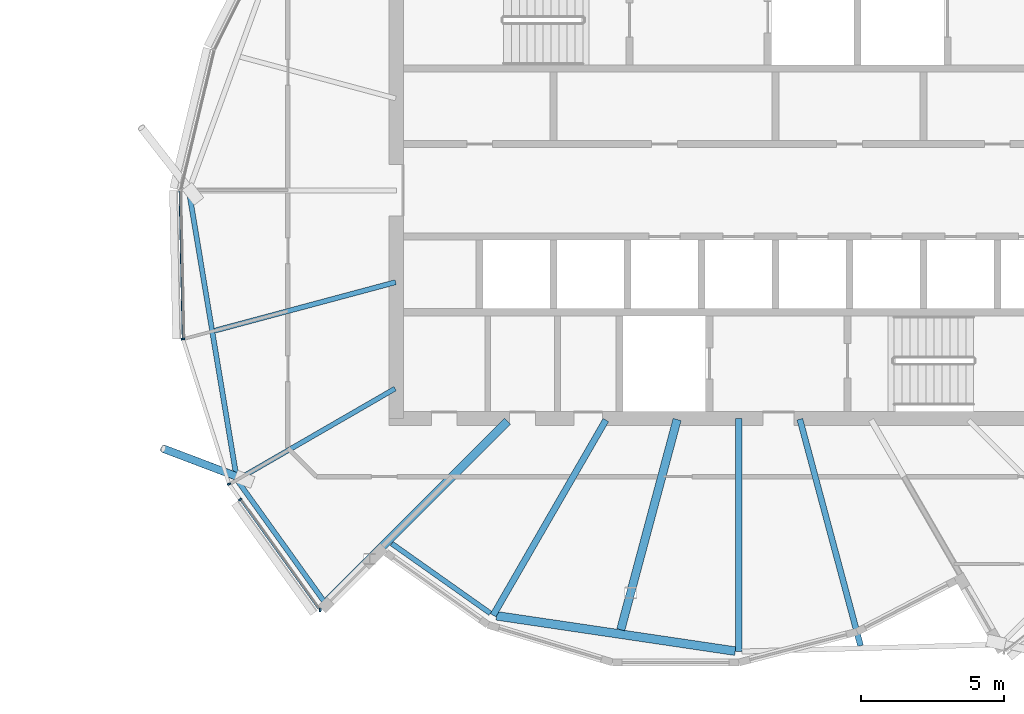
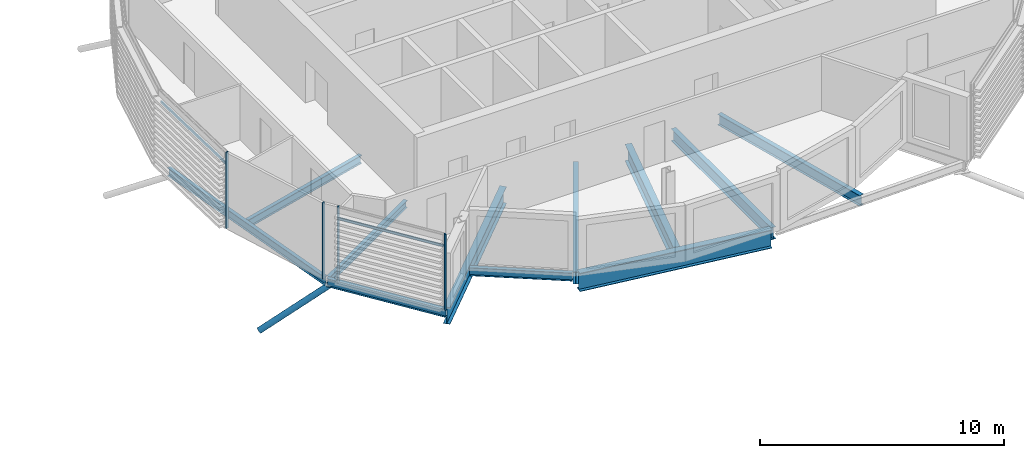
# One storey, part 10 of 35: 11 beams, 7 members, 1 element without a shape of its own.
"""IFC4 building model written with IfcOpenShell, lengths in metres."""

from ifc_helpers import new_model, si_unit, direction, frame, origin, origin_2d, place, context, subcontext, project, spatial, rectangle, hollow_circle, i_section, extrude, clip, halfspace, material, material_profile, profile_set, type_object, element, aggregate, save


model = new_model("IFC4")

# Units and contexts
model_context = context("Model", 3, precision=1e-05, world=origin(), true_north=direction((0.0, 1.0)))
body_context = subcontext(model_context, "Body", "Model", "MODEL_VIEW")
ifc_project = project(units=[si_unit("LENGTHUNIT", "METRE"), si_unit("AREAUNIT", "SQUARE_METRE"), si_unit("VOLUMEUNIT", "CUBIC_METRE"), si_unit("PLANEANGLEUNIT", "RADIAN"), si_unit("MASSUNIT", "GRAM", prefix="KILO")], contexts=[model_context])

# Site, building, storey
site_placement = place(None, origin())
site = spatial("IfcSite", under=ifc_project, at=site_placement, CompositionType="ELEMENT")
building_placement = place(site_placement, origin())
building = spatial("IfcBuilding", under=site, at=building_placement, Name="Rimbun Link Towers", CompositionType="ELEMENT")
storey_placement = place(building_placement, frame((0.0, 0.0, 229.5)))
storey = spatial("IfcBuildingStorey", under=building, at=storey_placement, Name="L56", CompositionType="ELEMENT", Elevation=229.5)

# Curtain wall, members
ifc_material_1 = material(Name="Aluminium 6063-T6 and low-iron glass", Category="aluminium")
curtain_wall_type = type_object("IfcCurtainWallType", Name="CW1-Z4 unitised vision wall (zone 4)", PredefinedType="NOTDEFINED", material=ifc_material_1)
curtain_wall_placement = place(storey_placement, origin())
curtain_wall = element("IfcCurtainWall", 1, at=curtain_wall_placement, inside=storey, type_object=curtain_wall_type, Name="CW1 L56 T2", PredefinedType="NOTDEFINED")
ifc_material_2 = material(Name="Aluminium 6063-T6", Category="aluminium")
ifc_material_profile_1 = material_profile(ifc_material_2, rectangle(XDim=0.1201171875, YDim=0.06005859375, at=origin_2d()), Name="MULLION 60X120")
ifc_profile_set_1 = profile_set([ifc_material_profile_1], Name="Aluminium 6063-T6")
member_type_1 = type_object("IfcMemberType", Name="CW1 mullion 60X120", PredefinedType="MULLION", material=ifc_profile_set_1)
member_1_placement = place(storey_placement, frame((12.26318359375, -5.21533203125, 0.0), z_axis=(0.0, 0.0, 1.0), x_axis=(-0.986503254432, -0.163741653209, 0.0)))
member_1 = element("IfcMember", 2, at=member_1_placement, type_object=member_type_1, Name="CW1 mullion", PredefinedType="MULLION", context=body_context, shape_type="SweptSolid", body=[
    extrude(rectangle(XDim=0.1201171875, YDim=0.06005859375, at=origin_2d()), origin(), (0.0, 0.0, 1.0), 3.800048828125),
])
member_2_placement = place(storey_placement, frame((13.880126953125, -10.30224609375, 0.0), z_axis=(0.0, 0.0, 1.0), x_axis=(-0.952973824415, -0.303052619159, 0.0)))
member_2 = element("IfcMember", 3, at=member_2_placement, type_object=member_type_1, Name="CW1 mullion", PredefinedType="MULLION", context=body_context, shape_type="SweptSolid", body=[
    extrude(rectangle(XDim=0.1201171875, YDim=0.06005859375, at=origin_2d()), origin(), (0.0, 0.0, 1.0), 3.800048828125),
])
member_3_placement = place(storey_placement, frame((17.077880859375, -14.72705078125, 0.0), z_axis=(0.0, 0.0, 1.0), x_axis=(-0.081394965181, -0.996681925011, 0.0)))
member_3 = element("IfcMember", 4, at=member_3_placement, type_object=member_type_1, Name="CW1 mullion", PredefinedType="MULLION", context=body_context, shape_type="SweptSolid", body=[
    extrude(rectangle(XDim=0.1201171875, YDim=0.06005859375, at=origin_2d()), origin(), (0.0, 0.0, 1.0), 3.800048828125),
])
member_4_placement = place(storey_placement, frame((14.267578125, -10.84716796875, 0.0), z_axis=(0.0, 0.0, 1.0), x_axis=(-0.812465338349, -0.583009497334, 0.0)))
member_4 = element("IfcMember", 5, at=member_4_placement, type_object=member_type_1, Name="CW1 mullion", PredefinedType="MULLION", context=body_context, shape_type="SweptSolid", body=[
    extrude(rectangle(XDim=0.1201171875, YDim=0.06005859375, at=origin_2d()), origin(), (0.0, 0.0, 1.0), 3.800048828125),
])
ifc_material_3 = material(Name="Aluminium 6063-T6", Category="aluminium")
ifc_material_profile_2 = material_profile(ifc_material_3, rectangle(XDim=0.06005859375, YDim=0.1201171875, at=origin_2d()), Name="TRANSOM 60X120")
ifc_profile_set_2 = profile_set([ifc_material_profile_2], Name="Aluminium 6063-T6")
member_type_2 = type_object("IfcMemberType", Name="CW1 transom 60X120", PredefinedType="USERDEFINED", material=ifc_profile_set_2)
member_5_placement = place(storey_placement, frame((12.263671875, -5.1767578125, 3.199951171875), z_axis=(-0.021061942905, 0.999778172677, 0.0), x_axis=(-0.999778172677, -0.021061942905, 0.0)))
member_5 = element("IfcMember", 6, at=member_5_placement, type_object=member_type_2, Name="CW1 transom", ObjectType="TRANSOM", PredefinedType="USERDEFINED", context=body_context, shape_type="SweptSolid", body=[
    extrude(rectangle(XDim=0.06005859375, YDim=0.1201171875, at=origin_2d()), origin(), (0.0, 0.0, 1.0), 5.146728515625),
])
member_6_placement = place(storey_placement, frame((17.01806640625, -14.6767578125, 3.199951171875), z_axis=(-0.583016319385, 0.812460442933, 0.0), x_axis=(-0.812460442933, -0.583016319385, 0.0)))
member_6 = element("IfcMember", 7, at=member_6_placement, type_object=member_type_2, Name="CW1 transom", ObjectType="TRANSOM", PredefinedType="USERDEFINED", context=body_context, shape_type="SweptSolid", body=[
    extrude(rectangle(XDim=0.06005859375, YDim=0.1201171875, at=origin_2d()), origin(), (0.0, 0.0, 1.0), 4.68505859375),
])
aggregate(curtain_wall, [member_1, member_2, member_3, member_4, member_5, member_6])

# Member
ifc_material_4 = material(Name="Steel S355J2H", Category="steel")
ifc_material_profile_3 = material_profile(ifc_material_4, hollow_circle(Radius=0.136474609375, WallThickness=0.012451171875, at=origin_2d()), Name="CHS 273x12.5")
ifc_profile_set_3 = profile_set([ifc_material_profile_3], Name="Steel S355J2H")
member_type_3 = type_object("IfcMemberType", Name="Floor edge link CHS 273x12.5", PredefinedType="BRACE", material=ifc_profile_set_3)
member_7_placement = place(storey_placement, frame((14.280517578125, -10.0859375, -0.608642578125), z_axis=(-0.777610276778, 0.294584308611, -0.555465878853), x_axis=(-0.354263830902, -0.93514551708, 0.0)))
element("IfcMember", 8, at=member_7_placement, inside=storey, type_object=member_type_3, Name="Floor edge link T2 L56 11", PredefinedType="BRACE", context=body_context, shape_type="Clipping", body=[
    clip(extrude(hollow_circle(Radius=0.136474609375, WallThickness=0.012451171875, at=origin_2d()), frame((0.0, 0.0, -0.4267578125)), (0.0, 0.0, 1.0), 3.918212890625), halfspace(frame((0.0, 0.0, -0.200927734375), z_axis=(0.0, 0.831539330056, -0.555465878853)), False)),
])

# Beams
ifc_material_5 = material(Name="Steel S355J2", Category="steel")
ifc_material_profile_4 = material_profile(ifc_material_5, i_section(OverallWidth=0.17138671875, OverallDepth=0.35498046875, WebThickness=0.00732421875, FlangeThickness=0.011474609375, at=origin_2d()), Name="UB 356x171x51")
ifc_profile_set_4 = profile_set([ifc_material_profile_4], Name="Steel S355J2")
beam_type_1 = type_object("IfcBeamType", Name="UB 356x171x51", PredefinedType="BEAM", material=ifc_profile_set_4)
beam_1_placement = place(storey_placement, frame((19.706298828125, -6.95361328125, -0.3173828125), z_axis=(-0.866029143232, -0.499993523031, 0.0), x_axis=(0.499993523031, -0.866029143232, 0.0)))
element("IfcBeam", 9, at=beam_1_placement, inside=storey, type_object=beam_type_1, Name="Radial beam T2 L56 11", PredefinedType="BEAM", context=body_context, shape_type="SweptSolid", body=[
    extrude(i_section(OverallWidth=0.17138671875, OverallDepth=0.35498046875, WebThickness=0.00732421875, FlangeThickness=0.011474609375, at=origin_2d()), origin(), (0.0, 0.0, 1.0), 6.31494140625),
])
ifc_material_6 = material(Name="Steel S355J2", Category="steel")
ifc_material_profile_5 = material_profile(ifc_material_6, i_section(OverallWidth=0.177978515625, OverallDepth=0.406494140625, WebThickness=0.0078125, FlangeThickness=0.0126953125, at=origin_2d()), Name="UB 406x178x60")
ifc_profile_set_5 = profile_set([ifc_material_profile_5], Name="Steel S355J2")
beam_type_2 = type_object("IfcBeamType", Name="UB 406x178x60", PredefinedType="BEAM", material=ifc_profile_set_5)
beam_2_placement = place(storey_placement, frame((19.72607421875, -3.2216796875, -0.34326171875), z_axis=(-0.965919688064, -0.258841952185, 0.0), x_axis=(0.258841952185, -0.965919688064, 0.0)))
element("IfcBeam", 10, at=beam_2_placement, inside=storey, type_object=beam_type_2, Name="Radial beam T2 L56 10", PredefinedType="BEAM", context=body_context, shape_type="SweptSolid", body=[
    extrude(i_section(OverallWidth=0.177978515625, OverallDepth=0.406494140625, WebThickness=0.0078125, FlangeThickness=0.0126953125, at=origin_2d()), origin(), (0.0, 0.0, 1.0), 6.5703125),
])
beam_3_placement = place(storey_placement, frame((12.484619140625, -0.08984375, -0.34326171875), z_axis=(0.16408184561, -0.986446728385, 0.0), x_axis=(0.986446728385, 0.16408184561, 0.0)))
element("IfcBeam", 11, at=beam_3_placement, inside=storey, type_object=beam_type_2, Name="Edge beam T2 L56 09-11", PredefinedType="BEAM", context=body_context, shape_type="SweptSolid", body=[
    extrude(i_section(OverallWidth=0.177978515625, OverallDepth=0.406494140625, WebThickness=0.0078125, FlangeThickness=0.0126953125, at=origin_2d()), origin(), (0.0, 0.0, 1.0), 10.11181640625),
])
beam_4_placement = place(storey_placement, frame((14.15966796875, -10.156982421875, -0.34326171875), z_axis=(0.582291298388, -0.812980223512, 0.0), x_axis=(0.812980223512, 0.582291298388, 0.0)))
element("IfcBeam", 12, at=beam_4_placement, inside=storey, type_object=beam_type_2, Name="Edge beam T2 L56 11", PredefinedType="BEAM", context=body_context, shape_type="SweptSolid", body=[
    extrude(i_section(OverallWidth=0.177978515625, OverallDepth=0.406494140625, WebThickness=0.0078125, FlangeThickness=0.0126953125, at=origin_2d()), origin(), (0.0, 0.0, 1.0), 5.326416015625),
])
beam_5_placement = place(storey_placement, frame((19.58837890625, -12.39111328125, -0.34326171875), z_axis=(0.81649590554, -0.577351224331, 0.0), x_axis=(0.577351224331, 0.81649590554, 0.0)))
element("IfcBeam", 13, at=beam_5_placement, inside=storey, type_object=beam_type_2, Name="Edge beam T2 L56 12 recess", PredefinedType="BEAM", context=body_context, shape_type="SweptSolid", body=[
    extrude(i_section(OverallWidth=0.177978515625, OverallDepth=0.406494140625, WebThickness=0.0078125, FlangeThickness=0.0126953125, at=origin_2d()), origin(), (0.0, 0.0, 1.0), 4.231689453125),
])
ifc_material_7 = material(Name="Steel S355J2", Category="steel")
ifc_material_profile_6 = material_profile(ifc_material_7, i_section(OverallWidth=0.209228515625, OverallDepth=0.533203125, WebThickness=0.010009765625, FlangeThickness=0.015625, at=origin_2d()), Name="UB 533x210x92")
ifc_profile_set_6 = profile_set([ifc_material_profile_6], Name="Steel S355J2")
beam_type_3 = type_object("IfcBeamType", Name="UB 533x210x92", PredefinedType="BEAM", material=ifc_profile_set_6)
beam_6_placement = place(storey_placement, frame((33.901123046875, -8.028076171875, -0.406494140625), z_axis=(0.258822629453, -0.965924865858, 0.0), x_axis=(0.965924865858, 0.258822629453, 0.0)))
element("IfcBeam", 14, at=beam_6_placement, inside=storey, type_object=beam_type_3, Name="Radial beam T2 L56 16", PredefinedType="BEAM", context=body_context, shape_type="SweptSolid", body=[
    extrude(i_section(OverallWidth=0.209228515625, OverallDepth=0.533203125, WebThickness=0.010009765625, FlangeThickness=0.015625, at=origin_2d()), origin(), (0.0, 0.0, 1.0), 8.225341796875),
])
ifc_material_8 = material(Name="Steel S355J2", Category="steel")
ifc_material_profile_7 = material_profile(ifc_material_8, i_section(OverallWidth=0.2275390625, OverallDepth=0.6025390625, WebThickness=0.010498046875, FlangeThickness=0.014892578125, at=origin_2d()), Name="UB 610x229x101")
ifc_profile_set_7 = profile_set([ifc_material_profile_7], Name="Steel S355J2")
beam_type_4 = type_object("IfcBeamType", Name="UB 610x229x101", PredefinedType="BEAM", material=ifc_profile_set_7)
beam_7_placement = place(storey_placement, frame((27.097900390625, -8.057861328125, -0.44140625), z_axis=(-0.500011107323, -0.866018990873, 0.0), x_axis=(0.866018990873, -0.500011107323, 0.0)))
element("IfcBeam", 15, at=beam_7_placement, inside=storey, type_object=beam_type_4, Name="Radial beam T2 L56 13", PredefinedType="BEAM", context=body_context, shape_type="SweptSolid", body=[
    extrude(i_section(OverallWidth=0.2275390625, OverallDepth=0.6025390625, WebThickness=0.010498046875, FlangeThickness=0.014892578125, at=origin_2d()), origin(), (0.0, 0.0, 1.0), 7.906982421875),
])
beam_8_placement = place(storey_placement, frame((31.75, -8.0009765625, -0.44140625), z_axis=(0.0, -1.0, 0.0), x_axis=(1.0, 0.0, 0.0)))
element("IfcBeam", 16, at=beam_8_placement, inside=storey, type_object=beam_type_4, Name="Radial beam T2 L56 15", PredefinedType="BEAM", context=body_context, shape_type="SweptSolid", body=[
    extrude(i_section(OverallWidth=0.2275390625, OverallDepth=0.6025390625, WebThickness=0.010498046875, FlangeThickness=0.014892578125, at=origin_2d()), origin(), (0.0, 0.0, 1.0), 8.177978515625),
])
ifc_material_9 = material(Name="Steel S355J2", Category="steel")
ifc_material_profile_8 = material_profile(ifc_material_9, i_section(OverallWidth=0.29248046875, OverallDepth=0.8408203125, WebThickness=0.0126953125, FlangeThickness=0.021728515625, at=origin_2d()), Name="UB 838x292x194")
ifc_profile_set_8 = profile_set([ifc_material_profile_8], Name="Steel S355J2")
beam_type_5 = type_object("IfcBeamType", Name="UB 838x292x194", PredefinedType="BEAM", material=ifc_profile_set_8)
beam_9_placement = place(storey_placement, frame((23.64599609375, -8.10400390625, -0.560302734375), z_axis=(-0.707106781187, -0.707106781187, 0.0), x_axis=(0.707106781187, -0.707106781187, 0.0)))
element("IfcBeam", 17, at=beam_9_placement, inside=storey, type_object=beam_type_5, Name="Radial beam T2 L56 12", PredefinedType="BEAM", context=body_context, shape_type="SweptSolid", body=[
    extrude(i_section(OverallWidth=0.29248046875, OverallDepth=0.8408203125, WebThickness=0.0126953125, FlangeThickness=0.021728515625, at=origin_2d()), origin(), (0.0, 0.0, 1.0), 8.937255859375),
])
beam_10_placement = place(storey_placement, frame((29.595947265625, -8.038818359375, -0.560302734375), z_axis=(-0.258801096048, -0.965930635545, 0.0), x_axis=(0.965930635545, -0.258801096048, 0.0)))
element("IfcBeam", 18, at=beam_10_placement, inside=storey, type_object=beam_type_5, Name="Radial beam T2 L56 14", PredefinedType="BEAM", context=body_context, shape_type="SweptSolid", body=[
    extrude(i_section(OverallWidth=0.29248046875, OverallDepth=0.8408203125, WebThickness=0.0126953125, FlangeThickness=0.021728515625, at=origin_2d()), origin(), (0.0, 0.0, 1.0), 7.633544921875),
])
ifc_material_10 = material(Name="Steel S355J2", Category="steel")
ifc_material_profile_9 = material_profile(ifc_material_10, i_section(OverallWidth=0.305419921875, OverallDepth=0.91845703125, WebThickness=0.017333984375, FlangeThickness=0.02783203125, at=origin_2d()), Name="UB 914x305x253")
ifc_profile_set_9 = profile_set([ifc_material_profile_9], Name="Steel S355J2")
beam_type_6 = type_object("IfcBeamType", Name="UB 914x305x253", PredefinedType="BEAM", material=ifc_profile_set_9)
beam_11_placement = place(storey_placement, frame((23.266357421875, -14.923583984375, -0.59912109375), z_axis=(0.989225917418, -0.14639700922, 0.0), x_axis=(0.14639700922, 0.989225917418, 0.0)))
element("IfcBeam", 19, at=beam_11_placement, inside=storey, type_object=beam_type_6, Name="Edge beam T2 L56 13-15", PredefinedType="BEAM", context=body_context, shape_type="SweptSolid", body=[
    extrude(i_section(OverallWidth=0.305419921875, OverallDepth=0.91845703125, WebThickness=0.017333984375, FlangeThickness=0.02783203125, at=origin_2d()), origin(), (0.0, 0.0, 1.0), 8.4599609375),
])

save(model, "model.ifc")
